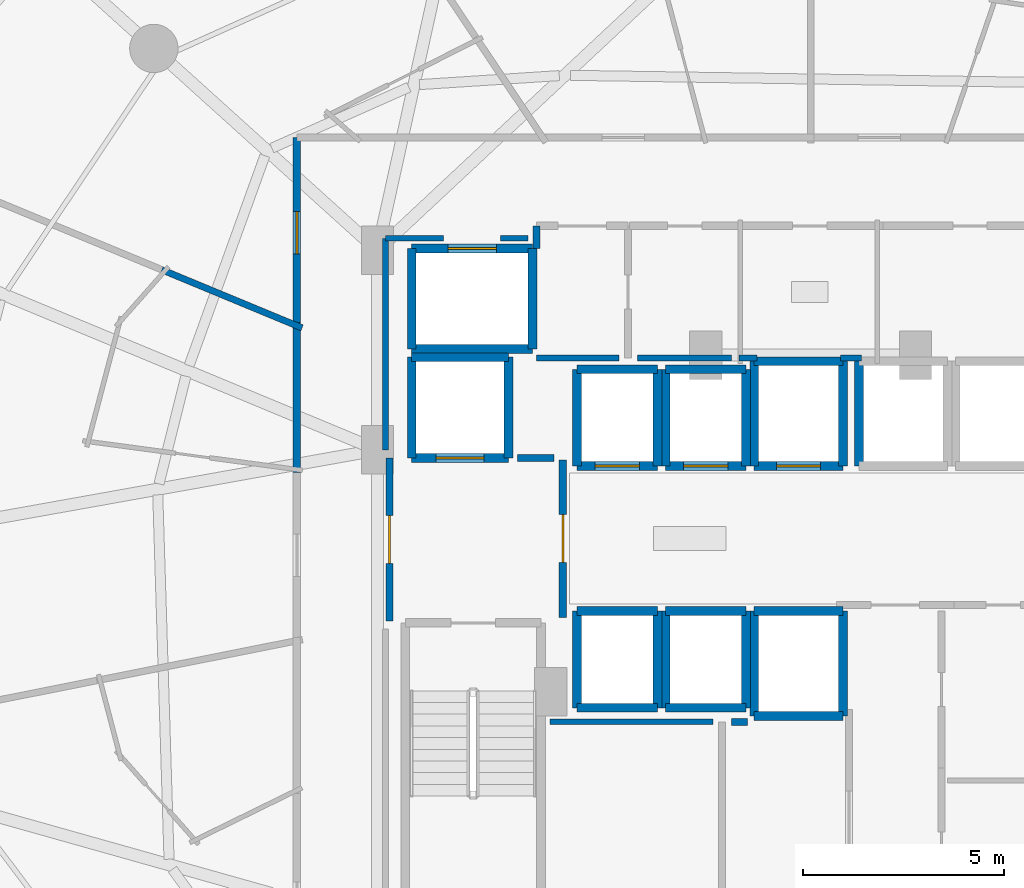
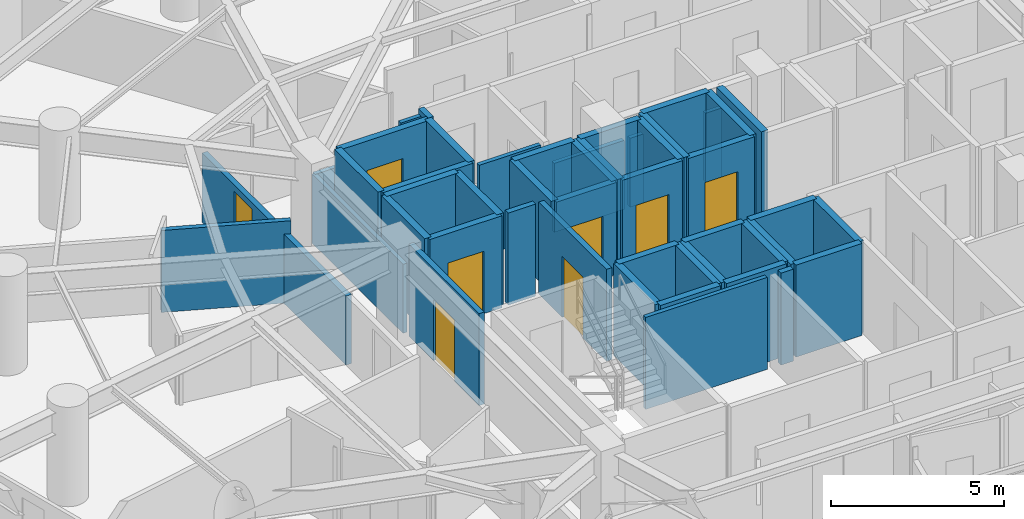
# One storey, part 28 of 35: 49 walls, 8 doors, 8 openings.
"""IFC4 building model written with IfcOpenShell, lengths in metres."""

from ifc_helpers import new_model, si_unit, direction, frame, frame_2d, origin, place, context, subcontext, project, spatial, rectangle, extrude, material, layer, layer_set, type_object, element, fill, save


model = new_model("IFC4")

# Units and contexts
model_context = context("Model", 3, precision=1e-05, world=origin(), true_north=direction((0.0, 1.0)))
body_context = subcontext(model_context, "Body", "Model", "MODEL_VIEW")
ifc_project = project(units=[si_unit("LENGTHUNIT", "METRE"), si_unit("AREAUNIT", "SQUARE_METRE"), si_unit("VOLUMEUNIT", "CUBIC_METRE"), si_unit("PLANEANGLEUNIT", "RADIAN"), si_unit("MASSUNIT", "GRAM", prefix="KILO")], contexts=[model_context])

# Site, building, storey
site_placement = place(None, origin())
site = spatial("IfcSite", under=ifc_project, at=site_placement, CompositionType="ELEMENT")
building_placement = place(site_placement, origin())
building = spatial("IfcBuilding", under=site, at=building_placement, Name="Vorneva Point Tower", CompositionType="ELEMENT")
storey_placement = place(building_placement, frame((0.0, 0.0, 52.0)))
storey = spatial("IfcBuildingStorey", under=building, at=storey_placement, Name="L13", CompositionType="ELEMENT", Elevation=52.0)

# Wall, opening, door
ifc_material_1 = material(Name="Concrete B60 (C50/60)", Category="concrete")
ifc_layer_1 = layer(ifc_material_1, 0.5)
ifc_layer_set_1 = layer_set([ifc_layer_1], Name="Concrete B60 (C50/60)")
wall_type_1 = type_object("IfcWallType", Name="WL-CORE-500", PredefinedType="SHEAR", material=ifc_layer_set_1)
wall_1_placement = place(storey_placement, frame((28.10009765625, 28.0, 0.0), z_axis=(0.0, 0.0, 1.0), x_axis=(1.0, 0.0, 0.0)))
wall_1 = element("IfcWall", 1, at=wall_1_placement, inside=storey, type_object=wall_type_1, Name="L13 Lift FFL1 Shaft Wall -Y", PredefinedType="SHEAR", context=body_context, shape_type="SweptSolid", body=[
    extrude(rectangle(XDim=2.39990234375, YDim=0.219970703125, at=frame_2d((1.199951171875, 0.0))), origin(), (0.0, 0.0, 1.0), 3.239990234375),
])
opening_1_placement = place(wall_1_placement, frame((0.60009765625, 0.0, 0.0)))
opening_1 = element("IfcOpeningElement", 2, at=opening_1_placement, cuts=wall_1, Name="Opening LD-02", PredefinedType="OPENING", context=body_context, shape_type="SweptSolid", body=[
    extrude(rectangle(XDim=1.199951171875, YDim=2.199951171875, at=frame_2d((0.60009765625, 1.10009765625))), frame((0.0, 0.125, 0.0), z_axis=(0.0, -1.0, 0.0), x_axis=(1.0, 0.0, 0.0)), (0.0, 0.0, 1.0), 0.249755859375),
])
ifc_material_2 = material(Name="Brushed stainless steel S304", Category="steel")
door_type_1 = type_object("IfcDoorType", Name="LD-FIRE-1200", OperationType="SLIDING_TO_LEFT", PredefinedType="DOOR", material=ifc_material_2)
door_1_placement = place(opening_1_placement, origin())
door_1 = element("IfcDoor", 3, at=door_1_placement, inside=storey, type_object=door_type_1, Name="L13 Lift FFL1 Sliding Landing Door", OperationType="SLIDING_TO_LEFT", OverallHeight=2.199951171875, OverallWidth=1.199951171875, PredefinedType="DOOR", context=body_context, shape_type="SweptSolid", body=[
    extrude(rectangle(XDim=1.199951171875, YDim=2.199951171875, at=frame_2d((0.60009765625, 1.10009765625))), frame((0.0, 0.02490234375, 0.0), z_axis=(0.0, -1.0, 0.0), x_axis=(1.0, 0.0, 0.0)), (0.0, 0.0, 1.0), 0.050048828125),
])
fill(opening_1, door_1)

# Walls
wall_2_placement = place(storey_placement, frame((30.5, 28.0, 0.0), z_axis=(0.0, 0.0, 1.0), x_axis=(0.0, 1.0, 0.0)))
element("IfcWall", 4, at=wall_2_placement, inside=storey, type_object=wall_type_1, Name="L13 Lift FFL1 Shaft Wall +X", PredefinedType="SHEAR", context=body_context, shape_type="SweptSolid", body=[
    extrude(rectangle(XDim=2.5, YDim=0.219970703125, at=frame_2d((1.25, 0.0))), origin(), (0.0, 0.0, 1.0), 3.239990234375),
])
wall_3_placement = place(storey_placement, frame((30.5, 30.5, 0.0), z_axis=(0.0, 0.0, 1.0), x_axis=(-1.0, 0.0, 0.0)))
element("IfcWall", 5, at=wall_3_placement, inside=storey, type_object=wall_type_1, Name="L13 Lift FFL1 Shaft Wall +Y", PredefinedType="SHEAR", context=body_context, shape_type="SweptSolid", body=[
    extrude(rectangle(XDim=2.39990234375, YDim=0.219970703125, at=frame_2d((1.199951171875, 0.0))), origin(), (0.0, 0.0, 1.0), 3.239990234375),
])
wall_4_placement = place(storey_placement, frame((28.10009765625, 30.5, 0.0), z_axis=(0.0, 0.0, 1.0), x_axis=(0.0, -1.0, 0.0)))
element("IfcWall", 6, at=wall_4_placement, inside=storey, type_object=wall_type_1, Name="L13 Lift FFL1 Shaft Wall -X", PredefinedType="SHEAR", context=body_context, shape_type="SweptSolid", body=[
    extrude(rectangle(XDim=2.5, YDim=0.219970703125, at=frame_2d((1.25, 0.0))), origin(), (0.0, 0.0, 1.0), 3.239990234375),
])
ifc_material_3 = material(Name="Fire-rated acoustic gypsum stud partition", Category="gypsum")
ifc_layer_2 = layer(ifc_material_3, 0.139892578125)
ifc_layer_set_2 = layer_set([ifc_layer_2], Name="Fire-rated acoustic gypsum stud partition")
wall_type_2 = type_object("IfcWallType", Name="WL-PART-140", PredefinedType="PARTITIONING", material=ifc_layer_set_2)
wall_5_placement = place(storey_placement, frame((31.199951171875, 30.47998046875, 0.0), z_axis=(0.0, 0.0, 1.0), x_axis=(1.0, 0.0, 0.0)))
element("IfcWall", 7, at=wall_5_placement, inside=storey, type_object=wall_type_2, Name="L13 Interior Closure Partition 091", PredefinedType="PARTITIONING", context=body_context, shape_type="SweptSolid", body=[
    extrude(rectangle(XDim=2.050048828125, YDim=0.139892578125, at=frame_2d((1.02490234375, 0.0))), origin(), (0.0, 0.0, 1.0), 3.239990234375),
])
wall_6_placement = place(storey_placement, frame((33.699951171875, 30.47998046875, 0.0), z_axis=(0.0, 0.0, 1.0), x_axis=(1.0, 0.0, 0.0)))
element("IfcWall", 8, at=wall_6_placement, inside=storey, type_object=wall_type_2, Name="L13 Interior Closure Partition 092", PredefinedType="PARTITIONING", context=body_context, shape_type="SweptSolid", body=[
    extrude(rectangle(XDim=2.330078125, YDim=0.139892578125, at=frame_2d((1.1650390625, 0.0))), origin(), (0.0, 0.0, 1.0), 2.431884765625),
])
wall_7_placement = place(storey_placement, frame((36.219970703125, 30.47998046875, 0.0), z_axis=(0.0, 0.0, 1.0), x_axis=(1.0, 0.0, 0.0)))
element("IfcWall", 9, at=wall_7_placement, inside=storey, type_object=wall_type_2, Name="L13 Interior Closure Partition 093", PredefinedType="PARTITIONING", context=body_context, shape_type="SweptSolid", body=[
    extrude(rectangle(XDim=0.445068359375, YDim=0.139892578125, at=frame_2d((0.22265625, 0.0))), origin(), (0.0, 0.0, 1.0), 2.431884765625),
])
wall_8_placement = place(storey_placement, frame((38.735107421875, 30.47998046875, 0.0), z_axis=(0.0, 0.0, 1.0), x_axis=(1.0, 0.0, 0.0)))
element("IfcWall", 10, at=wall_8_placement, inside=storey, type_object=wall_type_2, Name="L13 Interior Closure Partition 094", PredefinedType="PARTITIONING", context=body_context, shape_type="SweptSolid", body=[
    extrude(rectangle(XDim=0.52978515625, YDim=0.139892578125, at=frame_2d((0.264892578125, 0.0))), origin(), (0.0, 0.0, 1.0), 2.431884765625),
])
wall_9_placement = place(storey_placement, frame((35.580078125, 21.449951171875, 0.0), z_axis=(0.0, 0.0, 1.0), x_axis=(-1.0, 0.0, 0.0)))
element("IfcWall", 11, at=wall_9_placement, inside=storey, type_object=wall_type_2, Name="L13 Interior Closure Partition 097", PredefinedType="PARTITIONING", context=body_context, shape_type="SweptSolid", body=[
    extrude(rectangle(XDim=4.050048828125, YDim=0.139892578125, at=frame_2d((2.02490234375, 0.0))), origin(), (0.0, 0.0, 1.0), 3.239990234375),
])
wall_10_placement = place(storey_placement, frame((27.449951171875, 28.196044921875, 0.0), z_axis=(0.0, 0.0, 1.0), x_axis=(0.0, 1.0, 0.0)))
element("IfcWall", 12, at=wall_10_placement, inside=storey, type_object=wall_type_2, Name="L13 Interior Closure Partition 105", PredefinedType="PARTITIONING", context=body_context, shape_type="SweptSolid", body=[
    extrude(rectangle(XDim=5.25390625, YDim=0.139892578125, at=frame_2d((2.626953125, 0.0))), origin(), (0.0, 0.0, 1.0), 2.431884765625),
])
wall_11_placement = place(storey_placement, frame((27.449951171875, 33.449951171875, 0.0), z_axis=(0.0, 0.0, 1.0), x_axis=(1.0, 0.0, 0.0)))
element("IfcWall", 13, at=wall_11_placement, inside=storey, type_object=wall_type_2, Name="L13 Interior Closure Partition 106", PredefinedType="PARTITIONING", context=body_context, shape_type="SweptSolid", body=[
    extrude(rectangle(XDim=1.444091796875, YDim=0.139892578125, at=frame_2d((0.72216796875, 0.0))), origin(), (0.0, 0.0, 1.0), 2.431884765625),
])
wall_12_placement = place(storey_placement, frame((30.305908203125, 33.449951171875, 0.0), z_axis=(0.0, 0.0, 1.0), x_axis=(1.0, 0.0, 0.0)))
element("IfcWall", 14, at=wall_12_placement, inside=storey, type_object=wall_type_2, Name="L13 Interior Closure Partition 107", PredefinedType="PARTITIONING", context=body_context, shape_type="SweptSolid", body=[
    extrude(rectangle(XDim=0.674072265625, YDim=0.139892578125, at=frame_2d((0.3369140625, 0.0))), origin(), (0.0, 0.0, 1.0), 3.239990234375),
])
ifc_layer_3 = layer(ifc_material_3, 0.159912109375)
ifc_layer_set_3 = layer_set([ifc_layer_3], Name="Fire-rated acoustic gypsum stud partition")
wall_type_3 = type_object("IfcWallType", Name="WL-PART-160", PredefinedType="PARTITIONING", material=ifc_layer_set_3)
wall_13_placement = place(storey_placement, frame((21.898681640625, 32.66943359375, 0.0), z_axis=(0.0, 0.0, 1.0), x_axis=(0.923843852071, -0.382769561211, 0.0)))
element("IfcWall", 15, at=wall_13_placement, inside=storey, type_object=wall_type_3, Name="L13 Interior Partition 066", PredefinedType="PARTITIONING", context=body_context, shape_type="SweptSolid", body=[
    extrude(rectangle(XDim=3.767578125, YDim=0.159912109375, at=frame_2d((1.8837890625, 0.0))), origin(), (0.0, 0.0, 1.0), 2.885986328125),
])

# Wall, opening, door
ifc_material_4 = material(Name="Autoclaved aerated concrete blockwork", Category="masonry")
ifc_layer_4 = layer(ifc_material_4, 0.179931640625)
ifc_layer_set_4 = layer_set([ifc_layer_4], Name="Autoclaved aerated concrete blockwork")
wall_type_4 = type_object("IfcWallType", Name="WL-PART-180", PredefinedType="PARTITIONING", material=ifc_layer_set_4)
wall_14_placement = place(storey_placement, frame((31.85009765625, 24.044921875, 0.0), z_axis=(0.0, 0.0, 1.0), x_axis=(0.0, 1.0, 0.0)))
wall_14 = element("IfcWall", 16, at=wall_14_placement, inside=storey, type_object=wall_type_4, Name="L13 Interior Partition 001", PredefinedType="PARTITIONING", context=body_context, shape_type="SweptSolid", body=[
    extrude(rectangle(XDim=3.91015625, YDim=0.179931640625, at=frame_2d((1.955078125, 0.0))), origin(), (0.0, 0.0, 1.0), 3.239990234375),
])
opening_2_placement = place(wall_14_placement, frame((1.35498046875, 0.0, 0.0)))
opening_2 = element("IfcOpeningElement", 17, at=opening_2_placement, cuts=wall_14, Name="Opening FD-02", PredefinedType="OPENING", context=body_context, shape_type="SweptSolid", body=[
    extrude(rectangle(XDim=1.199951171875, YDim=2.14990234375, at=frame_2d((0.60009765625, 1.074951171875))), frame((0.0, 0.10498046875, 0.0), z_axis=(0.0, -1.0, 0.0), x_axis=(1.0, 0.0, 0.0)), (0.0, 0.0, 1.0), 0.209716796875),
])
ifc_material_5 = material(Name="Fire-rated powder-coated steel", Category="steel")
door_type_2 = type_object("IfcDoorType", Name="DR-FFL-1200", OperationType="NOTDEFINED", PredefinedType="DOOR", material=ifc_material_5)
door_2_placement = place(opening_2_placement, origin())
door_2 = element("IfcDoor", 18, at=door_2_placement, inside=storey, type_object=door_type_2, Name="L13 Door West Firefighting Lobby / Central Lift Lobby", OperationType="SINGLE_SWING_LEFT", OverallHeight=2.14990234375, OverallWidth=1.199951171875, PredefinedType="DOOR", context=body_context, shape_type="SweptSolid", body=[
    extrude(rectangle(XDim=1.199951171875, YDim=2.14990234375, at=frame_2d((0.60009765625, 1.074951171875))), frame((0.0, 0.02490234375, 0.0), z_axis=(0.0, -1.0, 0.0), x_axis=(1.0, 0.0, 0.0)), (0.0, 0.0, 1.0), 0.050048828125),
])
fill(opening_2, door_2)

wall_15_placement = place(storey_placement, frame((27.550048828125, 28.0, 0.0), z_axis=(0.0, 0.0, 1.0), x_axis=(0.0, -1.0, 0.0)))
wall_15 = element("IfcWall", 19, at=wall_15_placement, inside=storey, type_object=wall_type_4, Name="L13 Interior Partition 002", PredefinedType="PARTITIONING", context=body_context, shape_type="SweptSolid", body=[
    extrude(rectangle(XDim=4.050048828125, YDim=0.179931640625, at=frame_2d((2.02490234375, 0.0))), origin(), (0.0, 0.0, 1.0), 3.239990234375),
])
opening_3_placement = place(wall_15_placement, frame((1.425048828125, 0.0, 0.0)))
opening_3 = element("IfcOpeningElement", 20, at=opening_3_placement, cuts=wall_15, Name="Opening FD-02", PredefinedType="OPENING", context=body_context, shape_type="SweptSolid", body=[
    extrude(rectangle(XDim=1.199951171875, YDim=2.14990234375, at=frame_2d((0.60009765625, 1.074951171875))), frame((0.0, 0.10498046875, 0.0), z_axis=(0.0, -1.0, 0.0), x_axis=(1.0, 0.0, 0.0)), (0.0, 0.0, 1.0), 0.209716796875),
])
door_3_placement = place(opening_3_placement, origin())
door_3 = element("IfcDoor", 21, at=door_3_placement, inside=storey, type_object=door_type_2, Name="L13 Door West Firefighting Lobby / L13 Circulation Corridor", OperationType="SINGLE_SWING_RIGHT", OverallHeight=2.14990234375, OverallWidth=1.199951171875, PredefinedType="DOOR", context=body_context, shape_type="SweptSolid", body=[
    extrude(rectangle(XDim=1.199951171875, YDim=2.14990234375, at=frame_2d((0.60009765625, 1.074951171875))), frame((0.0, 0.02490234375, 0.0), z_axis=(0.0, -1.0, 0.0), x_axis=(1.0, 0.0, 0.0)), (0.0, 0.0, 1.0), 0.050048828125),
])
fill(opening_3, door_3)

# Wall
wall_16_placement = place(storey_placement, frame((31.199951171875, 33.760009765625, 0.0), z_axis=(0.0, 0.0, 1.0), x_axis=(0.0, -1.0, 0.0)))
element("IfcWall", 22, at=wall_16_placement, inside=storey, type_object=wall_type_4, Name="L13 Interior Partition 008", PredefinedType="PARTITIONING", context=body_context, shape_type="SweptSolid", body=[
    extrude(rectangle(XDim=0.56005859375, YDim=0.179931640625, at=frame_2d((0.280029296875, 0.0))), origin(), (0.0, 0.0, 1.0), 3.239990234375),
])

# Wall, opening, door
wall_17_placement = place(storey_placement, frame((25.25, 35.949951171875, 0.0), z_axis=(0.0, 0.0, 1.0), x_axis=(0.0, -1.0, 0.0)))
wall_17 = element("IfcWall", 23, at=wall_17_placement, inside=storey, type_object=wall_type_4, Name="L13 Interior Partition 033", PredefinedType="PARTITIONING", context=body_context, shape_type="SweptSolid", body=[
    extrude(rectangle(XDim=4.72900390625, YDim=0.179931640625, at=frame_2d((2.364501953125, 0.0))), origin(), (0.0, 0.0, 1.0), 2.431884765625),
])
opening_4_placement = place(wall_17_placement, frame((1.839599609375, 0.0, 0.0)))
opening_4 = element("IfcOpeningElement", 24, at=opening_4_placement, cuts=wall_17, Name="Opening UD-02", PredefinedType="OPENING", context=body_context, shape_type="SweptSolid", body=[
    extrude(rectangle(XDim=1.050048828125, YDim=2.199951171875, at=frame_2d((0.52490234375, 1.10009765625))), frame((0.0, 0.10498046875, 0.0), z_axis=(0.0, -1.0, 0.0), x_axis=(1.0, 0.0, 0.0)), (0.0, 0.0, 1.0), 0.209716796875),
])
ifc_material_6 = material(Name="Engineered oak fire-rated door leaf", Category="wood")
door_type_3 = type_object("IfcDoorType", Name="DR-SUITE-1050", OperationType="NOTDEFINED", PredefinedType="DOOR", material=ifc_material_6)
door_4_placement = place(opening_4_placement, origin())
door_4 = element("IfcDoor", 25, at=door_4_placement, inside=storey, type_object=door_type_3, Name="L13 Door L13 Circulation Corridor / Corner Suite L13-04", OperationType="SINGLE_SWING_RIGHT", OverallHeight=2.199951171875, OverallWidth=1.050048828125, PredefinedType="DOOR", context=body_context, shape_type="SweptSolid", body=[
    extrude(rectangle(XDim=1.050048828125, YDim=2.199951171875, at=frame_2d((0.52490234375, 1.10009765625))), frame((0.0, 0.02490234375, 0.0), z_axis=(0.0, -1.0, 0.0), x_axis=(1.0, 0.0, 0.0)), (0.0, 0.0, 1.0), 0.050048828125),
])
fill(opening_4, door_4)

# Walls
wall_18_placement = place(storey_placement, frame((25.25, 31.361083984375, 0.0), z_axis=(0.0, 0.0, 1.0), x_axis=(0.0, -1.0, 0.0)))
element("IfcWall", 26, at=wall_18_placement, inside=storey, type_object=wall_type_4, Name="L13 Interior Partition 036", PredefinedType="PARTITIONING", context=body_context, shape_type="SweptSolid", body=[
    extrude(rectangle(XDim=3.72705078125, YDim=0.179931640625, at=frame_2d((1.863525390625, 0.0))), origin(), (0.0, 0.0, 1.0), 2.431884765625),
])
wall_19_placement = place(storey_placement, frame((31.635009765625, 28.0, 0.0), z_axis=(0.0, 0.0, 1.0), x_axis=(-1.0, 0.0, 0.0)))
element("IfcWall", 27, at=wall_19_placement, inside=storey, type_object=wall_type_4, Name="L13 Interior Closure Partition 089", PredefinedType="PARTITIONING", context=body_context, shape_type="SweptSolid", body=[
    extrude(rectangle(XDim=0.9150390625, YDim=0.179931640625, at=frame_2d((0.45751953125, 0.0))), origin(), (0.0, 0.0, 1.0), 3.239990234375),
])
wall_20_placement = place(storey_placement, frame((36.43896484375, 21.449951171875, 0.0), z_axis=(0.0, 0.0, 1.0), x_axis=(-1.0, 0.0, 0.0)))
element("IfcWall", 28, at=wall_20_placement, inside=storey, type_object=wall_type_4, Name="L13 Interior Closure Partition 098", PredefinedType="PARTITIONING", context=body_context, shape_type="SweptSolid", body=[
    extrude(rectangle(XDim=0.408935546875, YDim=0.179931640625, at=frame_2d((0.20458984375, 0.0))), origin(), (0.0, 0.0, 1.0), 3.239990234375),
])

# Wall, opening, door
ifc_material_7 = material(Name="Concrete B50 (C40/50)", Category="concrete")
ifc_layer_5 = layer(ifc_material_7, 0.219970703125)
ifc_layer_set_5 = layer_set([ifc_layer_5], Name="Concrete B50 (C40/50)")
wall_type_5 = type_object("IfcWallType", Name="WL-SHFT-220", PredefinedType="SOLIDWALL", material=ifc_layer_set_5)
wall_21_placement = place(storey_placement, frame((32.199951171875, 27.800048828125, 0.0), z_axis=(0.0, 0.0, 1.0), x_axis=(1.0, 0.0, 0.0)))
wall_21 = element("IfcWall", 29, at=wall_21_placement, inside=storey, type_object=wall_type_5, Name="L13 Lift PL1 Shaft Wall -Y", PredefinedType="SOLIDWALL", context=body_context, shape_type="SweptSolid", body=[
    extrude(rectangle(XDim=2.0, YDim=0.219970703125, at=frame_2d((1.0, 0.0))), origin(), (0.0, 0.0, 1.0), 3.239990234375),
])
opening_5_placement = place(wall_21_placement, frame((0.449951171875, 0.0, 0.0)))
opening_5 = element("IfcOpeningElement", 30, at=opening_5_placement, cuts=wall_21, Name="Opening LD-01", PredefinedType="OPENING", context=body_context, shape_type="SweptSolid", body=[
    extrude(rectangle(XDim=1.10009765625, YDim=2.199951171875, at=frame_2d((0.550048828125, 1.10009765625))), frame((0.0, 0.125, 0.0), z_axis=(0.0, -1.0, 0.0), x_axis=(1.0, 0.0, 0.0)), (0.0, 0.0, 1.0), 0.249755859375),
])
door_type_4 = type_object("IfcDoorType", Name="LD-PASS-1100", OperationType="SLIDING_TO_LEFT", PredefinedType="DOOR", material=ifc_material_2)
door_5_placement = place(opening_5_placement, origin())
door_5 = element("IfcDoor", 31, at=door_5_placement, inside=storey, type_object=door_type_4, Name="L13 Lift PL1 Sliding Landing Door", OperationType="SLIDING_TO_LEFT", OverallHeight=2.199951171875, OverallWidth=1.10009765625, PredefinedType="DOOR", context=body_context, shape_type="SweptSolid", body=[
    extrude(rectangle(XDim=1.10009765625, YDim=2.199951171875, at=frame_2d((0.550048828125, 1.10009765625))), frame((0.0, 0.02490234375, 0.0), z_axis=(0.0, -1.0, 0.0), x_axis=(1.0, 0.0, 0.0)), (0.0, 0.0, 1.0), 0.050048828125),
])
fill(opening_5, door_5)

# Walls
wall_22_placement = place(storey_placement, frame((34.199951171875, 27.800048828125, 0.0), z_axis=(0.0, 0.0, 1.0), x_axis=(0.0, 1.0, 0.0)))
element("IfcWall", 32, at=wall_22_placement, inside=storey, type_object=wall_type_5, Name="L13 Lift PL1 Shaft Wall +X", PredefinedType="SOLIDWALL", context=body_context, shape_type="SweptSolid", body=[
    extrude(rectangle(XDim=2.39990234375, YDim=0.219970703125, at=frame_2d((1.199951171875, 0.0))), origin(), (0.0, 0.0, 1.0), 3.239990234375),
])
wall_23_placement = place(storey_placement, frame((34.199951171875, 30.199951171875, 0.0), z_axis=(0.0, 0.0, 1.0), x_axis=(-1.0, 0.0, 0.0)))
element("IfcWall", 33, at=wall_23_placement, inside=storey, type_object=wall_type_5, Name="L13 Lift PL1 Shaft Wall +Y", PredefinedType="SOLIDWALL", context=body_context, shape_type="SweptSolid", body=[
    extrude(rectangle(XDim=2.0, YDim=0.219970703125, at=frame_2d((1.0, 0.0))), origin(), (0.0, 0.0, 1.0), 3.239990234375),
])
wall_24_placement = place(storey_placement, frame((32.199951171875, 30.199951171875, 0.0), z_axis=(0.0, 0.0, 1.0), x_axis=(0.0, -1.0, 0.0)))
element("IfcWall", 34, at=wall_24_placement, inside=storey, type_object=wall_type_5, Name="L13 Lift PL1 Shaft Wall -X", PredefinedType="SOLIDWALL", context=body_context, shape_type="SweptSolid", body=[
    extrude(rectangle(XDim=2.39990234375, YDim=0.219970703125, at=frame_2d((1.199951171875, 0.0))), origin(), (0.0, 0.0, 1.0), 3.239990234375),
])

# Wall, opening, door
wall_25_placement = place(storey_placement, frame((34.39990234375, 27.800048828125, 0.0), z_axis=(0.0, 0.0, 1.0), x_axis=(1.0, 0.0, 0.0)))
wall_25 = element("IfcWall", 35, at=wall_25_placement, inside=storey, type_object=wall_type_5, Name="L13 Lift PL2 Shaft Wall -Y", PredefinedType="SOLIDWALL", context=body_context, shape_type="SweptSolid", body=[
    extrude(rectangle(XDim=2.0, YDim=0.219970703125, at=frame_2d((1.0, 0.0))), origin(), (0.0, 0.0, 1.0), 3.239990234375),
])
opening_6_placement = place(wall_25_placement, frame((0.449951171875, 0.0, 0.0)))
opening_6 = element("IfcOpeningElement", 36, at=opening_6_placement, cuts=wall_25, Name="Opening LD-01", PredefinedType="OPENING", context=body_context, shape_type="SweptSolid", body=[
    extrude(rectangle(XDim=1.10009765625, YDim=2.199951171875, at=frame_2d((0.550048828125, 1.10009765625))), frame((0.0, 0.125, 0.0), z_axis=(0.0, -1.0, 0.0), x_axis=(1.0, 0.0, 0.0)), (0.0, 0.0, 1.0), 0.249755859375),
])
door_6_placement = place(opening_6_placement, origin())
door_6 = element("IfcDoor", 37, at=door_6_placement, inside=storey, type_object=door_type_4, Name="L13 Lift PL2 Sliding Landing Door", OperationType="SLIDING_TO_LEFT", OverallHeight=2.199951171875, OverallWidth=1.10009765625, PredefinedType="DOOR", context=body_context, shape_type="SweptSolid", body=[
    extrude(rectangle(XDim=1.10009765625, YDim=2.199951171875, at=frame_2d((0.550048828125, 1.10009765625))), frame((0.0, 0.02490234375, 0.0), z_axis=(0.0, -1.0, 0.0), x_axis=(1.0, 0.0, 0.0)), (0.0, 0.0, 1.0), 0.050048828125),
])
fill(opening_6, door_6)

# Walls
wall_26_placement = place(storey_placement, frame((36.39990234375, 27.800048828125, 0.0), z_axis=(0.0, 0.0, 1.0), x_axis=(0.0, 1.0, 0.0)))
element("IfcWall", 38, at=wall_26_placement, inside=storey, type_object=wall_type_5, Name="L13 Lift PL2 Shaft Wall +X", PredefinedType="SOLIDWALL", context=body_context, shape_type="SweptSolid", body=[
    extrude(rectangle(XDim=2.39990234375, YDim=0.219970703125, at=frame_2d((1.199951171875, 0.0))), origin(), (0.0, 0.0, 1.0), 3.239990234375),
])
wall_27_placement = place(storey_placement, frame((36.39990234375, 30.199951171875, 0.0), z_axis=(0.0, 0.0, 1.0), x_axis=(-1.0, 0.0, 0.0)))
element("IfcWall", 39, at=wall_27_placement, inside=storey, type_object=wall_type_5, Name="L13 Lift PL2 Shaft Wall +Y", PredefinedType="SOLIDWALL", context=body_context, shape_type="SweptSolid", body=[
    extrude(rectangle(XDim=2.0, YDim=0.219970703125, at=frame_2d((1.0, 0.0))), origin(), (0.0, 0.0, 1.0), 3.239990234375),
])
wall_28_placement = place(storey_placement, frame((34.39990234375, 30.199951171875, 0.0), z_axis=(0.0, 0.0, 1.0), x_axis=(0.0, -1.0, 0.0)))
element("IfcWall", 40, at=wall_28_placement, inside=storey, type_object=wall_type_5, Name="L13 Lift PL2 Shaft Wall -X", PredefinedType="SOLIDWALL", context=body_context, shape_type="SweptSolid", body=[
    extrude(rectangle(XDim=2.39990234375, YDim=0.219970703125, at=frame_2d((1.199951171875, 0.0))), origin(), (0.0, 0.0, 1.0), 3.239990234375),
])

# Wall, opening, door
wall_29_placement = place(storey_placement, frame((36.60009765625, 27.800048828125, 0.0), z_axis=(0.0, 0.0, 1.0), x_axis=(1.0, 0.0, 0.0)))
wall_29 = element("IfcWall", 41, at=wall_29_placement, inside=storey, type_object=wall_type_5, Name="L13 Lift PL3 Shaft Wall -Y", PredefinedType="SOLIDWALL", context=body_context, shape_type="SweptSolid", body=[
    extrude(rectangle(XDim=2.199951171875, YDim=0.219970703125, at=frame_2d((1.10009765625, 0.0))), origin(), (0.0, 0.0, 1.0), 3.239990234375),
])
opening_7_placement = place(wall_29_placement, frame((0.550048828125, 0.0, 0.0)))
opening_7 = element("IfcOpeningElement", 42, at=opening_7_placement, cuts=wall_29, Name="Opening LD-01", PredefinedType="OPENING", context=body_context, shape_type="SweptSolid", body=[
    extrude(rectangle(XDim=1.10009765625, YDim=2.199951171875, at=frame_2d((0.550048828125, 1.10009765625))), frame((0.0, 0.125, 0.0), z_axis=(0.0, -1.0, 0.0), x_axis=(1.0, 0.0, 0.0)), (0.0, 0.0, 1.0), 0.249755859375),
])
door_7_placement = place(opening_7_placement, origin())
door_7 = element("IfcDoor", 43, at=door_7_placement, inside=storey, type_object=door_type_4, Name="L13 Lift PL3 Sliding Landing Door", OperationType="SLIDING_TO_LEFT", OverallHeight=2.199951171875, OverallWidth=1.10009765625, PredefinedType="DOOR", context=body_context, shape_type="SweptSolid", body=[
    extrude(rectangle(XDim=1.10009765625, YDim=2.199951171875, at=frame_2d((0.550048828125, 1.10009765625))), frame((0.0, 0.02490234375, 0.0), z_axis=(0.0, -1.0, 0.0), x_axis=(1.0, 0.0, 0.0)), (0.0, 0.0, 1.0), 0.050048828125),
])
fill(opening_7, door_7)

# Walls
wall_30_placement = place(storey_placement, frame((38.800048828125, 27.800048828125, 0.0), z_axis=(0.0, 0.0, 1.0), x_axis=(0.0, 1.0, 0.0)))
element("IfcWall", 44, at=wall_30_placement, inside=storey, type_object=wall_type_5, Name="L13 Lift PL3 Shaft Wall +X", PredefinedType="SOLIDWALL", context=body_context, shape_type="SweptSolid", body=[
    extrude(rectangle(XDim=2.599853515625, YDim=0.219970703125, at=frame_2d((1.2998046875, 0.0))), origin(), (0.0, 0.0, 1.0), 3.239990234375),
])
wall_31_placement = place(storey_placement, frame((38.800048828125, 30.39990234375, 0.0), z_axis=(0.0, 0.0, 1.0), x_axis=(-1.0, 0.0, 0.0)))
element("IfcWall", 45, at=wall_31_placement, inside=storey, type_object=wall_type_5, Name="L13 Lift PL3 Shaft Wall +Y", PredefinedType="SOLIDWALL", context=body_context, shape_type="SweptSolid", body=[
    extrude(rectangle(XDim=2.199951171875, YDim=0.219970703125, at=frame_2d((1.10009765625, 0.0))), origin(), (0.0, 0.0, 1.0), 3.239990234375),
])
wall_32_placement = place(storey_placement, frame((36.60009765625, 30.39990234375, 0.0), z_axis=(0.0, 0.0, 1.0), x_axis=(0.0, -1.0, 0.0)))
element("IfcWall", 46, at=wall_32_placement, inside=storey, type_object=wall_type_5, Name="L13 Lift PL3 Shaft Wall -X", PredefinedType="SOLIDWALL", context=body_context, shape_type="SweptSolid", body=[
    extrude(rectangle(XDim=2.599853515625, YDim=0.219970703125, at=frame_2d((1.2998046875, 0.0))), origin(), (0.0, 0.0, 1.0), 3.239990234375),
])
wall_33_placement = place(storey_placement, frame((32.199951171875, 21.800048828125, 0.0), z_axis=(0.0, 0.0, 1.0), x_axis=(1.0, 0.0, 0.0)))
element("IfcWall", 47, at=wall_33_placement, inside=storey, type_object=wall_type_5, Name="L13 Lift PL4 Shaft Wall -Y", PredefinedType="SOLIDWALL", context=body_context, shape_type="SweptSolid", body=[
    extrude(rectangle(XDim=2.0, YDim=0.219970703125, at=frame_2d((1.0, 0.0))), origin(), (0.0, 0.0, 1.0), 3.239990234375),
])
wall_34_placement = place(storey_placement, frame((34.199951171875, 21.800048828125, 0.0), z_axis=(0.0, 0.0, 1.0), x_axis=(0.0, 1.0, 0.0)))
element("IfcWall", 48, at=wall_34_placement, inside=storey, type_object=wall_type_5, Name="L13 Lift PL4 Shaft Wall +X", PredefinedType="SOLIDWALL", context=body_context, shape_type="SweptSolid", body=[
    extrude(rectangle(XDim=2.39990234375, YDim=0.219970703125, at=frame_2d((1.199951171875, 0.0))), origin(), (0.0, 0.0, 1.0), 3.239990234375),
])
wall_35_placement = place(storey_placement, frame((34.199951171875, 24.199951171875, 0.0), z_axis=(0.0, 0.0, 1.0), x_axis=(-1.0, 0.0, 0.0)))
element("IfcWall", 49, at=wall_35_placement, inside=storey, type_object=wall_type_5, Name="L13 Lift PL4 Shaft Wall +Y", PredefinedType="SOLIDWALL", context=body_context, shape_type="SweptSolid", body=[
    extrude(rectangle(XDim=2.0, YDim=0.219970703125, at=frame_2d((1.0, 0.0))), origin(), (0.0, 0.0, 1.0), 3.239990234375),
])
wall_36_placement = place(storey_placement, frame((32.199951171875, 24.199951171875, 0.0), z_axis=(0.0, 0.0, 1.0), x_axis=(0.0, -1.0, 0.0)))
element("IfcWall", 50, at=wall_36_placement, inside=storey, type_object=wall_type_5, Name="L13 Lift PL4 Shaft Wall -X", PredefinedType="SOLIDWALL", context=body_context, shape_type="SweptSolid", body=[
    extrude(rectangle(XDim=2.39990234375, YDim=0.219970703125, at=frame_2d((1.199951171875, 0.0))), origin(), (0.0, 0.0, 1.0), 3.239990234375),
])
wall_37_placement = place(storey_placement, frame((34.39990234375, 21.800048828125, 0.0), z_axis=(0.0, 0.0, 1.0), x_axis=(1.0, 0.0, 0.0)))
element("IfcWall", 51, at=wall_37_placement, inside=storey, type_object=wall_type_5, Name="L13 Lift PL5 Shaft Wall -Y", PredefinedType="SOLIDWALL", context=body_context, shape_type="SweptSolid", body=[
    extrude(rectangle(XDim=2.0, YDim=0.219970703125, at=frame_2d((1.0, 0.0))), origin(), (0.0, 0.0, 1.0), 3.239990234375),
])
wall_38_placement = place(storey_placement, frame((36.39990234375, 21.800048828125, 0.0), z_axis=(0.0, 0.0, 1.0), x_axis=(0.0, 1.0, 0.0)))
element("IfcWall", 52, at=wall_38_placement, inside=storey, type_object=wall_type_5, Name="L13 Lift PL5 Shaft Wall +X", PredefinedType="SOLIDWALL", context=body_context, shape_type="SweptSolid", body=[
    extrude(rectangle(XDim=2.39990234375, YDim=0.219970703125, at=frame_2d((1.199951171875, 0.0))), origin(), (0.0, 0.0, 1.0), 3.239990234375),
])
wall_39_placement = place(storey_placement, frame((36.39990234375, 24.199951171875, 0.0), z_axis=(0.0, 0.0, 1.0), x_axis=(-1.0, 0.0, 0.0)))
element("IfcWall", 53, at=wall_39_placement, inside=storey, type_object=wall_type_5, Name="L13 Lift PL5 Shaft Wall +Y", PredefinedType="SOLIDWALL", context=body_context, shape_type="SweptSolid", body=[
    extrude(rectangle(XDim=2.0, YDim=0.219970703125, at=frame_2d((1.0, 0.0))), origin(), (0.0, 0.0, 1.0), 3.239990234375),
])
wall_40_placement = place(storey_placement, frame((34.39990234375, 24.199951171875, 0.0), z_axis=(0.0, 0.0, 1.0), x_axis=(0.0, -1.0, 0.0)))
element("IfcWall", 54, at=wall_40_placement, inside=storey, type_object=wall_type_5, Name="L13 Lift PL5 Shaft Wall -X", PredefinedType="SOLIDWALL", context=body_context, shape_type="SweptSolid", body=[
    extrude(rectangle(XDim=2.39990234375, YDim=0.219970703125, at=frame_2d((1.199951171875, 0.0))), origin(), (0.0, 0.0, 1.0), 3.239990234375),
])
wall_41_placement = place(storey_placement, frame((36.60009765625, 21.60009765625, 0.0), z_axis=(0.0, 0.0, 1.0), x_axis=(1.0, 0.0, 0.0)))
element("IfcWall", 55, at=wall_41_placement, inside=storey, type_object=wall_type_5, Name="L13 Lift PL6 Shaft Wall -Y", PredefinedType="SOLIDWALL", context=body_context, shape_type="SweptSolid", body=[
    extrude(rectangle(XDim=2.199951171875, YDim=0.219970703125, at=frame_2d((1.10009765625, 0.0))), origin(), (0.0, 0.0, 1.0), 3.239990234375),
])
wall_42_placement = place(storey_placement, frame((38.800048828125, 21.60009765625, 0.0), z_axis=(0.0, 0.0, 1.0), x_axis=(0.0, 1.0, 0.0)))
element("IfcWall", 56, at=wall_42_placement, inside=storey, type_object=wall_type_5, Name="L13 Lift PL6 Shaft Wall +X", PredefinedType="SOLIDWALL", context=body_context, shape_type="SweptSolid", body=[
    extrude(rectangle(XDim=2.599853515625, YDim=0.219970703125, at=frame_2d((1.2998046875, 0.0))), origin(), (0.0, 0.0, 1.0), 3.239990234375),
])
wall_43_placement = place(storey_placement, frame((38.800048828125, 24.199951171875, 0.0), z_axis=(0.0, 0.0, 1.0), x_axis=(-1.0, 0.0, 0.0)))
element("IfcWall", 57, at=wall_43_placement, inside=storey, type_object=wall_type_5, Name="L13 Lift PL6 Shaft Wall +Y", PredefinedType="SOLIDWALL", context=body_context, shape_type="SweptSolid", body=[
    extrude(rectangle(XDim=2.199951171875, YDim=0.219970703125, at=frame_2d((1.10009765625, 0.0))), origin(), (0.0, 0.0, 1.0), 3.239990234375),
])
for number, where, z_axis, x_axis, name in (
    (58, (36.60009765625, 24.199951171875, 0.0), (0.0, 0.0, 1.0), (0.0, -1.0, 0.0), "L13 Lift PL6 Shaft Wall -X"),
    (59, (39.199951171875, 30.39990234375, 0.0), (0.0, 0.0, 1.0), (0.0, -1.0, 0.0), "L13 Lift PL7 Shaft Wall -X"),
):
    element("IfcWall", number, at=place(storey_placement, frame(where, z_axis=z_axis, x_axis=x_axis)), inside=storey, type_object=wall_type_5, Name=name, PredefinedType="SOLIDWALL", context=body_context, shape_type="SweptSolid", body=[
        extrude(rectangle(XDim=2.599853515625, YDim=0.219970703125, at=frame_2d((1.2998046875, 0.0))), origin(), (0.0, 0.0, 1.0), 3.239990234375),
    ])
wall_44_placement = place(storey_placement, frame((28.10009765625, 30.699951171875, 0.0), z_axis=(0.0, 0.0, 1.0), x_axis=(1.0, 0.0, 0.0)))
element("IfcWall", 60, at=wall_44_placement, inside=storey, type_object=wall_type_5, Name="L13 Lift SVL1 Shaft Wall -Y", PredefinedType="SOLIDWALL", context=body_context, shape_type="SweptSolid", body=[
    extrude(rectangle(XDim=3.0, YDim=0.219970703125, at=frame_2d((1.5, 0.0))), origin(), (0.0, 0.0, 1.0), 3.239990234375),
])
wall_45_placement = place(storey_placement, frame((31.10009765625, 30.699951171875, 0.0), z_axis=(0.0, 0.0, 1.0), x_axis=(0.0, 1.0, 0.0)))
element("IfcWall", 61, at=wall_45_placement, inside=storey, type_object=wall_type_5, Name="L13 Lift SVL1 Shaft Wall +X", PredefinedType="SOLIDWALL", context=body_context, shape_type="SweptSolid", body=[
    extrude(rectangle(XDim=2.5, YDim=0.219970703125, at=frame_2d((1.25, 0.0))), origin(), (0.0, 0.0, 1.0), 3.239990234375),
])

# Wall, opening, door
wall_46_placement = place(storey_placement, frame((31.10009765625, 33.199951171875, 0.0), z_axis=(0.0, 0.0, 1.0), x_axis=(-1.0, 0.0, 0.0)))
wall_46 = element("IfcWall", 62, at=wall_46_placement, inside=storey, type_object=wall_type_5, Name="L13 Lift SVL1 Shaft Wall +Y", PredefinedType="SOLIDWALL", context=body_context, shape_type="SweptSolid", body=[
    extrude(rectangle(XDim=3.0, YDim=0.219970703125, at=frame_2d((1.5, 0.0))), origin(), (0.0, 0.0, 1.0), 3.239990234375),
])
opening_8_placement = place(wall_46_placement, frame((0.89990234375, 0.0, 0.0)))
opening_8 = element("IfcOpeningElement", 63, at=opening_8_placement, cuts=wall_46, Name="Opening LD-02", PredefinedType="OPENING", context=body_context, shape_type="SweptSolid", body=[
    extrude(rectangle(XDim=1.199951171875, YDim=2.199951171875, at=frame_2d((0.60009765625, 1.10009765625))), frame((0.0, 0.125, 0.0), z_axis=(0.0, -1.0, 0.0), x_axis=(1.0, 0.0, 0.0)), (0.0, 0.0, 1.0), 0.249755859375),
])
door_8_placement = place(opening_8_placement, origin())
door_8 = element("IfcDoor", 64, at=door_8_placement, inside=storey, type_object=door_type_1, Name="L13 Lift SVL1 Sliding Landing Door", OperationType="SLIDING_TO_LEFT", OverallHeight=2.199951171875, OverallWidth=1.199951171875, PredefinedType="DOOR", context=body_context, shape_type="SweptSolid", body=[
    extrude(rectangle(XDim=1.199951171875, YDim=2.199951171875, at=frame_2d((0.60009765625, 1.10009765625))), frame((0.0, 0.02490234375, 0.0), z_axis=(0.0, -1.0, 0.0), x_axis=(1.0, 0.0, 0.0)), (0.0, 0.0, 1.0), 0.050048828125),
])
fill(opening_8, door_8)

# Wall
wall_47_placement = place(storey_placement, frame((28.10009765625, 33.199951171875, 0.0), z_axis=(0.0, 0.0, 1.0), x_axis=(0.0, -1.0, 0.0)))
element("IfcWall", 65, at=wall_47_placement, inside=storey, type_object=wall_type_5, Name="L13 Lift SVL1 Shaft Wall -X", PredefinedType="SOLIDWALL", context=body_context, shape_type="SweptSolid", body=[
    extrude(rectangle(XDim=2.5, YDim=0.219970703125, at=frame_2d((1.25, 0.0))), origin(), (0.0, 0.0, 1.0), 3.239990234375),
])

save(model, "model.ifc")
